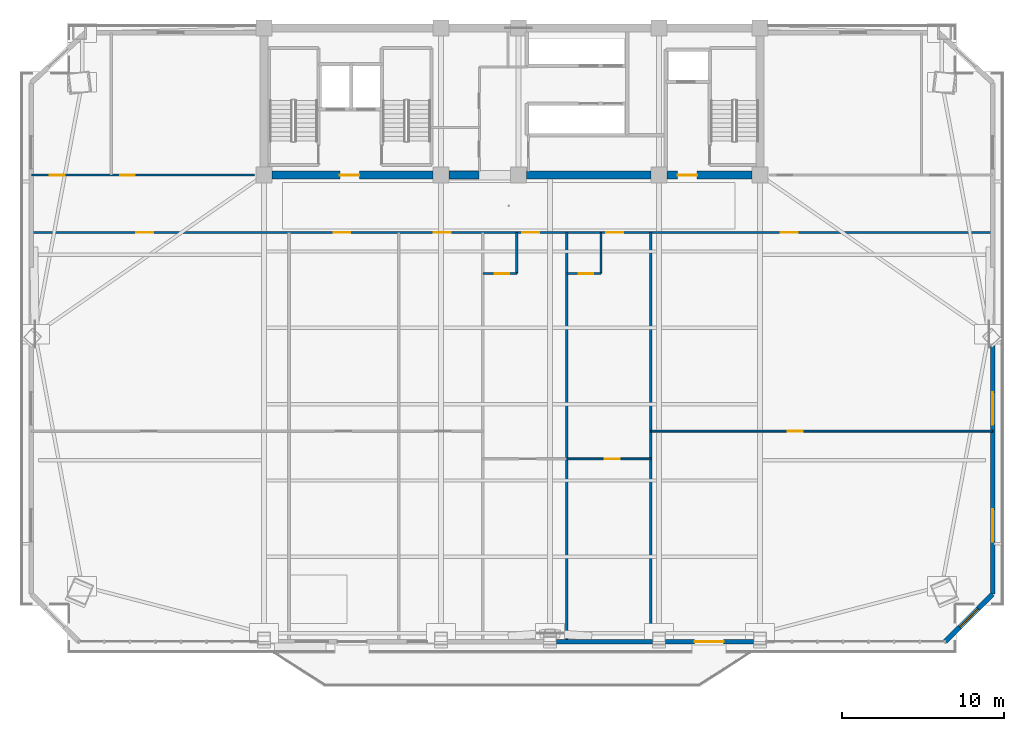
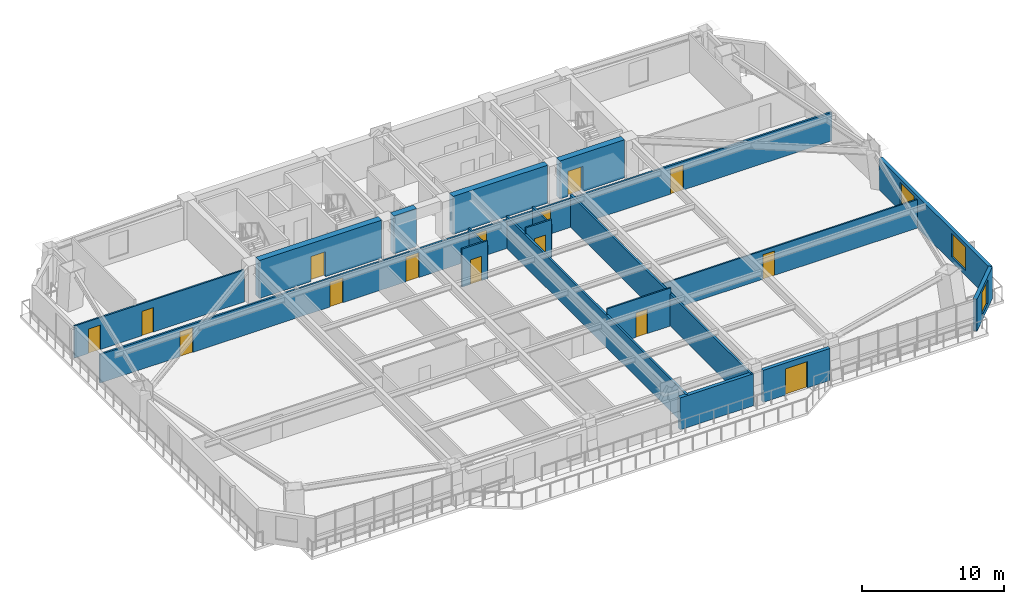
# One storey, part 8 of 15: 18 walls, 15 doors, 3 windows, 18 openings.
"""IFC4 building model written with IfcOpenShell, lengths in metres."""

import ifcopenshell
import ifcopenshell.guid

model = None  # the IFC model being written
_history = None  # IfcOwnerHistory: only IFC2X3 demands one
_inside = {}  # id of a spatial element -> (the spatial element, [elements in it])
_under = {}  # id of a project, library or spatial element -> (it, [spatial elements below it])
_declared = {}  # id of a project -> (the project, [libraries it declares])
_typed = {}  # id of a type object -> (the type object, [elements of that type])
_made_of = {}  # id of a material, layer set ... -> (it, [elements and type objects made of it])


def new_model(schema):
    """Start an empty IFC model of exactly this schema.

    Asked for "IFC4X3", IfcOpenShell would pick the latest addendum, in which some entities
    have other attributes; the version numbers below select the first issue.
    IFC2X3 requires an IfcOwnerHistory on every rooted entity: one is made here for all.
    """
    global model, _history
    if schema == "IFC4X3":
        model = ifcopenshell.file(schema_version=(4, 3, 0, 0))
    else:
        model = ifcopenshell.file(schema=schema)
    _inside.clear()
    _under.clear()
    _declared.clear()
    _typed.clear()
    _made_of.clear()
    _history = None
    if model.schema == "IFC2X3":
        org = make("IfcOrganization", Name="unknown")
        user = make(
            "IfcPersonAndOrganization",
            ThePerson=make("IfcPerson", FamilyName="unknown"),
            TheOrganization=org,
        )
        app = make(
            "IfcApplication",
            ApplicationDeveloper=org,
            Version="unknown",
            ApplicationFullName="unknown",
            ApplicationIdentifier="unknown",
        )
        _history = make(
            "IfcOwnerHistory",
            OwningUser=user,
            OwningApplication=app,
            ChangeAction="ADDED",
            CreationDate=0,
        )
    return model


def make(cls, **values):
    """One entity of the class cls with the attributes given. An attribute that is None is left unset."""
    return model.create_entity(
        cls, **{name: value for name, value in values.items() if value is not None}
    )


def rooted(cls, **values):
    """An entity with a GlobalId (a new one), such as an element, a storey or a relation."""
    return make(cls, GlobalId=ifcopenshell.guid.new(), OwnerHistory=_history, **values)


def si_unit(unit_type, name, prefix=None):
    """IfcSIUnit, for example si_unit("LENGTHUNIT", "METRE", prefix="MILLI")."""
    return make("IfcSIUnit", UnitType=unit_type, Prefix=prefix, Name=name)


def assignment(units):
    """IfcUnitAssignment: the units of a project."""
    return None if units is None else make("IfcUnitAssignment", Units=units)


def point(xyz):
    """IfcCartesianPoint."""
    return None if xyz is None else make("IfcCartesianPoint", Coordinates=xyz)


def direction(xyz):
    """IfcDirection."""
    return None if xyz is None else make("IfcDirection", DirectionRatios=xyz)


def frame(location, z_axis=None, x_axis=None):
    """IfcAxis2Placement3D, a coordinate frame: its origin and axes. An axis left out is left unset."""
    return make(
        "IfcAxis2Placement3D",
        Location=point(location),
        Axis=direction(z_axis),
        RefDirection=direction(x_axis),
    )


def frame_2d(location, x_axis=None):
    """IfcAxis2Placement2D, a coordinate frame in the plane: its origin and x axis."""
    return make(
        "IfcAxis2Placement2D", Location=point(location), RefDirection=direction(x_axis)
    )


def origin():
    """The frame at (0, 0, 0) with its axes left unset."""
    return frame((0.0, 0.0, 0.0))


def place(relative_to, where):
    """IfcLocalPlacement: puts the frame where relative to a parent placement (None: the world)."""
    return make(
        "IfcLocalPlacement", PlacementRelTo=relative_to, RelativePlacement=where
    )


def context(
    kind, dimensions, precision=None, world=None, true_north=None, identifier=None
):
    """IfcGeometricRepresentationContext, for example the 3D "Model" context."""
    return make(
        "IfcGeometricRepresentationContext",
        ContextIdentifier=identifier,
        ContextType=kind,
        CoordinateSpaceDimension=dimensions,
        Precision=precision,
        WorldCoordinateSystem=world,
        TrueNorth=true_north,
    )


def subcontext(parent, identifier, kind, view, scale=None):
    """IfcGeometricRepresentationSubContext, for example "Body" below "Model"."""
    return make(
        "IfcGeometricRepresentationSubContext",
        ContextIdentifier=identifier,
        ContextType=kind,
        ParentContext=parent,
        TargetScale=scale,
        TargetView=view,
    )


def project(units=None, contexts=None):
    """IfcProject with its units and contexts."""
    return rooted(
        "IfcProject",
        Name="project",
        RepresentationContexts=contexts,
        UnitsInContext=assignment(units),
    )


def spatial(cls, under=None, at=None, **own):
    """A site, building, storey or space (cls), placed at a placement, below another one or the project."""
    s = rooted(cls, ObjectPlacement=at, **own)
    if under is not None:
        _under.setdefault(under.id(), (under, []))[1].append(s)
    return s


def profile(cls, at=None, kind="AREA", **sizes):
    """A parametric profile (cls). Its sizes go by their IFC names, for example OverallWidth=200.0."""
    return make(cls, ProfileType=kind, Position=at, **sizes)


def rectangle(**sizes):
    """IfcRectangleProfileDef."""
    return profile("IfcRectangleProfileDef", **sizes)


def extrude(swept, where, along, depth):
    """IfcExtrudedAreaSolid: the profile swept, set in the frame where, extruded along a direction by depth."""
    return make(
        "IfcExtrudedAreaSolid",
        SweptArea=swept,
        Position=where,
        ExtrudedDirection=direction(along),
        Depth=depth,
    )


def shape(context_of_items, identifier, shape_type, items):
    """IfcShapeRepresentation: the items that make up one representation, for example the "Body"."""
    return make(
        "IfcShapeRepresentation",
        ContextOfItems=context_of_items,
        RepresentationIdentifier=identifier,
        RepresentationType=shape_type,
        Items=items,
    )


def source(mapping_origin, context_of_items, identifier, shape_type, items):
    """IfcRepresentationMap: a shape defined once, which mapped items show again and again."""
    return make(
        "IfcRepresentationMap",
        MappingOrigin=mapping_origin,
        MappedRepresentation=shape(context_of_items, identifier, shape_type, items),
    )


def transform(
    local_origin,
    x_axis=None,
    y_axis=None,
    z_axis=None,
    scale=None,
    scale2=None,
    scale3=None,
    uniform=True,
):
    """IfcCartesianTransformationOperator3D, or its non-uniform kind. x_axis, y_axis, z_axis: its Axis1, 2, 3."""
    if uniform:
        return make(
            "IfcCartesianTransformationOperator3D",
            Axis1=direction(x_axis),
            Axis2=direction(y_axis),
            LocalOrigin=point(local_origin),
            Scale=scale,
            Axis3=direction(z_axis),
        )
    return make(
        "IfcCartesianTransformationOperator3DnonUniform",
        Axis1=direction(x_axis),
        Axis2=direction(y_axis),
        LocalOrigin=point(local_origin),
        Scale=scale,
        Axis3=direction(z_axis),
        Scale2=scale2,
        Scale3=scale3,
    )


def mapped(mapping_source, mapping_target):
    """IfcMappedItem: shows the shape of a source again, moved by a transform."""
    return make(
        "IfcMappedItem", MappingSource=mapping_source, MappingTarget=mapping_target
    )


def material(Name=None, Category=None):
    """IfcMaterial."""
    return make("IfcMaterial", Name=Name, Category=Category)


def layer(
    of_material, thickness, ventilated=None, Name=None, Category=None, Priority=None
):
    """IfcMaterialLayer: one layer of a wall or slab, of a material (None: an air gap)."""
    return make(
        "IfcMaterialLayer",
        Material=of_material,
        LayerThickness=thickness,
        IsVentilated=ventilated,
        Name=Name,
        Category=Category,
        Priority=Priority,
    )


def layer_set(layers, Name=None):
    """IfcMaterialLayerSet."""
    return make("IfcMaterialLayerSet", MaterialLayers=layers, LayerSetName=Name)


def made_of(thing, what):
    """Note that an element or type object is made of a material, layer set ...; save() writes the relation."""
    if what is not None:
        _made_of.setdefault(what.id(), (what, []))[1].append(thing)
    return thing


def type_object(cls, material=None, **own):
    """A type object (cls), such as IfcWallType, which elements share."""
    return made_of(rooted(cls, **own), material)


def element(
    cls,
    number,
    at=None,
    inside=None,
    cuts=None,
    type_object=None,
    material=None,
    context=None,
    identifier="Body",
    shape_type=None,
    held_by="IfcProductDefinitionShape",
    body=None,
    shapes=None,
    **own,
):
    """One element of the class cls, such as IfcWall. Its Tag is "e" and its number.

    at: its placement. inside: the storey or other place that contains it. cuts: it is an
    opening in that element (IfcRelVoidsElement). A single representation is given by context,
    identifier, shape_type and body (its items); several are given by shapes. held_by: the class
    of the entity that holds the representations. save() writes the other relations.
    """
    e = rooted(cls, Tag="e%d" % number, ObjectPlacement=at, **own)
    if body is not None:
        shapes = [shape(context, identifier, shape_type, body)]
    if shapes is not None:
        e.Representation = make(held_by, Representations=shapes)
    if inside is not None:
        _inside.setdefault(inside.id(), (inside, []))[1].append(e)
    if cuts is not None:
        rooted(
            "IfcRelVoidsElement", RelatingBuildingElement=cuts, RelatedOpeningElement=e
        )
    if type_object is not None:
        _typed.setdefault(type_object.id(), (type_object, []))[1].append(e)
    return made_of(e, material)


def fill(opening, filler):
    """IfcRelFillsElement: the door or window that sits in an opening."""
    return rooted(
        "IfcRelFillsElement",
        RelatingOpeningElement=opening,
        RelatedBuildingElement=filler,
    )


def aggregate(whole, parts):
    """IfcRelAggregates: a whole, such as a stair, and the parts it consists of."""
    return rooted("IfcRelAggregates", RelatingObject=whole, RelatedObjects=parts)


def save(model, path):
    """Write the relations noted so far, then the file.

    IfcRelAggregates (storeys below a building ...), IfcRelContainedInSpatialStructure (elements
    in a storey), IfcRelDefinesByType, IfcRelAssociatesMaterial and IfcRelDeclares: one each for
    every whole, place, type object, material and project.
    """
    for whole, parts in _under.values():
        aggregate(whole, parts)
    for where, things in _inside.values():
        rooted(
            "IfcRelContainedInSpatialStructure",
            RelatedElements=things,
            RelatingStructure=where,
        )
    for kind, things in _typed.values():
        rooted("IfcRelDefinesByType", RelatedObjects=things, RelatingType=kind)
    for what, things in _made_of.values():
        rooted("IfcRelAssociatesMaterial", RelatedObjects=things, RelatingMaterial=what)
    for by, libraries in _declared.values():
        rooted("IfcRelDeclares", RelatingContext=by, RelatedDefinitions=libraries)
    model.write(path)


model = new_model("IFC4")

# Units and contexts
model_context = context("Model", 3, precision=1e-05, world=origin(), true_north=direction((0.0, 1.0)))
body_context = subcontext(model_context, "Body", "Model", "MODEL_VIEW")
ifc_project = project(units=[si_unit("LENGTHUNIT", "METRE"), si_unit("AREAUNIT", "SQUARE_METRE"), si_unit("VOLUMEUNIT", "CUBIC_METRE"), si_unit("PLANEANGLEUNIT", "RADIAN"), si_unit("MASSUNIT", "GRAM", prefix="KILO")], contexts=[model_context])

# Site, building, storey
site_placement = place(None, origin())
site = spatial("IfcSite", under=ifc_project, at=site_placement, CompositionType="ELEMENT")
building_placement = place(site_placement, origin())
building = spatial("IfcBuilding", under=site, at=building_placement, Name="Giltprow Tower", CompositionType="ELEMENT")
storey_placement = place(building_placement, frame((0.0, 0.0, 156.199951171875)))
storey = spatial("IfcBuildingStorey", under=building, at=storey_placement, Name="L38", CompositionType="ELEMENT", Elevation=156.199951171875)

# Wall, opening, window
ifc_material_1 = material(Name="Precast concrete C40", Category="concrete")
ifc_layer_1 = layer(ifc_material_1, 0.300048828125, Name="Precast concrete C40")
ifc_layer_set_1 = layer_set([ifc_layer_1], Name="Precast concrete C40")
wall_type_1 = type_object("IfcWallType", Name="EW-NOTCH-CHAMFER-300", PredefinedType="SOLIDWALL", material=ifc_layer_set_1)
wall_1_placement = place(storey_placement, frame((62.011962890625, 8.572021484375, 0.0), z_axis=(0.0, 0.0, 1.0), x_axis=(0.707106781187, 0.707106781187, 0.0)))
wall_1 = element("IfcWall", 1, at=wall_1_placement, inside=storey, type_object=wall_type_1, Name="L38 Corner Notch Wall SE", PredefinedType="SOLIDWALL", context=body_context, shape_type="SweptSolid", body=[
    extrude(rectangle(XDim=4.15625, YDim=0.300048828125, at=frame_2d((2.078125, 0.0))), origin(), (0.0, 0.0, 1.0), 2.75),
])
opening_1_placement = place(wall_1_placement, frame((1.278076171875, 0.0, 0.449951171875)))
opening_1 = element("IfcOpeningElement", 2, at=opening_1_placement, cuts=wall_1, Name="Opening WN17", PredefinedType="OPENING", context=body_context, shape_type="SweptSolid", body=[
    extrude(rectangle(XDim=1.60009765625, YDim=2.0, at=frame_2d((0.800048828125, 1.0))), frame((0.0, 0.159912109375, 0.0), z_axis=(0.0, -1.0, 0.0), x_axis=(1.0, 0.0, 0.0)), (0.0, 0.0, 1.0), 0.320068359375),
])
ifc_material_2 = material(Name="Insulated glass", Category="glass")
window_type_1 = type_object("IfcWindowType", Name="WN-COR-1600x2000", PartitioningType="SINGLE_PANEL", PredefinedType="WINDOW", material=ifc_material_2)
shared_shape_1 = source(origin(), body_context, "Body", "SweptSolid", [
    extrude(rectangle(XDim=1.60009765625, YDim=2.0, at=frame_2d((0.800048828125, 1.0))), frame((0.0, 0.030029296875, 0.0), z_axis=(0.0, -1.0, 0.0), x_axis=(1.0, 0.0, 0.0)), (0.0, 0.0, 1.0), 0.06005859375),
])
window_1_placement = place(opening_1_placement, origin())
window_1 = element("IfcWindow", 3, at=window_1_placement, inside=storey, type_object=window_type_1, Name="L38 Corner Notch Window SE", OverallHeight=2.0, OverallWidth=1.60009765625, PartitioningType="SINGLE_PANEL", PredefinedType="WINDOW", context=body_context, shape_type="MappedRepresentation", body=[
    mapped(shared_shape_1, transform((0.0, 0.0, 0.0), x_axis=(1.0, 0.0, 0.0), y_axis=(0.0, 1.0, 0.0), z_axis=(0.0, 0.0, 1.0), scale=1.0)),
])
fill(opening_1, window_1)

# Wall
ifc_layer_2 = layer(ifc_material_1, 0.280029296875, Name="Precast concrete C40")
ifc_layer_set_2 = layer_set([ifc_layer_2], Name="Precast concrete C40")
wall_type_2 = type_object("IfcWallType", Name="EW-TOW-BRONZE-280", PredefinedType="SOLIDWALL", material=ifc_layer_set_2)
wall_2_placement = place(storey_placement, frame((37.949951171875, 8.572021484375, 0.0), z_axis=(0.0, 0.0, 1.0), x_axis=(1.0, 0.0, 0.0)))
element("IfcWall", 4, at=wall_2_placement, inside=storey, type_object=wall_type_2, Name="L38 South Expressed Frame Wall 4", PredefinedType="SOLIDWALL", context=body_context, shape_type="SweptSolid", body=[
    extrude(rectangle(XDim=5.949951171875, YDim=0.280029296875, at=frame_2d((2.97509765625, 0.0))), origin(), (0.0, 0.0, 1.0), 2.75),
])

# Wall, opening, door
wall_3_placement = place(storey_placement, frame((44.699951171875, 8.572021484375, 0.0), z_axis=(0.0, 0.0, 1.0), x_axis=(1.0, 0.0, 0.0)))
wall_3 = element("IfcWall", 5, at=wall_3_placement, inside=storey, type_object=wall_type_2, Name="L38 South Expressed Frame Wall 5", PredefinedType="SOLIDWALL", context=body_context, shape_type="SweptSolid", body=[
    extrude(rectangle(XDim=5.449951171875, YDim=0.280029296875, at=frame_2d((2.72509765625, 0.0))), origin(), (0.0, 0.0, 1.0), 2.75),
])
opening_2_placement = place(wall_3_placement, frame((1.800048828125, 0.0, 0.0)))
opening_2 = element("IfcOpeningElement", 6, at=opening_2_placement, cuts=wall_3, Name="Opening ED25", PredefinedType="OPENING", context=body_context, shape_type="SweptSolid", body=[
    extrude(rectangle(XDim=1.800048828125, YDim=2.25, at=frame_2d((0.89990234375, 1.125))), frame((0.0, 0.14990234375, 0.0), z_axis=(0.0, -1.0, 0.0), x_axis=(1.0, 0.0, 0.0)), (0.0, 0.0, 1.0), 0.300048828125),
])
ifc_material_3 = material(Name="Anodized bronze and glass", Category="glass")
door_type_1 = type_object("IfcDoorType", Name="DR-BALC-SLIDE-1800", OperationType="SLIDING_TO_LEFT", PredefinedType="DOOR", material=ifc_material_3)
shared_shape_2 = source(origin(), body_context, "Body", "SweptSolid", [
    extrude(rectangle(XDim=1.800048828125, YDim=2.25, at=frame_2d((0.89990234375, 1.125))), frame((0.0, 0.02490234375, 0.0), z_axis=(0.0, -1.0, 0.0), x_axis=(1.0, 0.0, 0.0)), (0.0, 0.0, 1.0), 0.050048828125),
])
door_1_placement = place(opening_2_placement, origin())
door_1 = element("IfcDoor", 7, at=door_1_placement, inside=storey, type_object=door_type_1, Name="L38 Waterfront Balcony Sliding Door 2", OperationType="SLIDING_TO_LEFT", OverallHeight=2.25, OverallWidth=1.800048828125, PredefinedType="DOOR", context=body_context, shape_type="MappedRepresentation", body=[
    mapped(shared_shape_2, transform((0.0, 0.0, 0.0), x_axis=(1.0, 0.0, 0.0), y_axis=(0.0, 1.0, 0.0), z_axis=(0.0, 0.0, 1.0), scale=1.0)),
])
fill(opening_2, door_1)

# Wall, openings, windows
wall_4_placement = place(storey_placement, frame((64.950927734375, 11.510986328125, 0.0), z_axis=(0.0, 0.0, 1.0), x_axis=(0.0, 1.0, 0.0)))
wall_4 = element("IfcWall", 8, at=wall_4_placement, inside=storey, type_object=wall_type_2, Name="L38 E Wing Masonry Wall 1", PredefinedType="SOLIDWALL", context=body_context, shape_type="SweptSolid", body=[
    extrude(rectangle(XDim=15.425048828125, YDim=0.280029296875, at=frame_2d((7.71240234375, 0.0))), origin(), (0.0, 0.0, 1.0), 2.75),
])
opening_3_placement = place(wall_4_placement, frame((3.2509765625, 0.0, 0.449951171875)))
opening_3 = element("IfcOpeningElement", 9, at=opening_3_placement, cuts=wall_4, Name="Opening WN21", PredefinedType="OPENING", context=body_context, shape_type="SweptSolid", body=[
    extrude(rectangle(XDim=2.0, YDim=2.0, at=frame_2d((1.0, 1.0))), frame((0.0, 0.14990234375, 0.0), z_axis=(0.0, -1.0, 0.0), x_axis=(1.0, 0.0, 0.0)), (0.0, 0.0, 1.0), 0.300048828125),
])
opening_4_placement = place(wall_4_placement, frame((10.488037109375, 0.0, 0.449951171875)))
opening_4 = element("IfcOpeningElement", 10, at=opening_4_placement, cuts=wall_4, Name="Opening WN21", PredefinedType="OPENING", context=body_context, shape_type="SweptSolid", body=[
    extrude(rectangle(XDim=2.0, YDim=2.0, at=frame_2d((1.0, 1.0))), frame((0.0, 0.14990234375, 0.0), z_axis=(0.0, -1.0, 0.0), x_axis=(1.0, 0.0, 0.0)), (0.0, 0.0, 1.0), 0.300048828125),
])
window_type_2 = type_object("IfcWindowType", Name="WN-HTL-2000x2000", PartitioningType="DOUBLE_PANEL_VERTICAL", PredefinedType="WINDOW", material=ifc_material_2)
shared_shape_3 = source(origin(), body_context, "Body", "SweptSolid", [
    extrude(rectangle(XDim=2.0, YDim=2.0, at=frame_2d((1.0, 1.0))), frame((0.0, 0.030029296875, 0.0), z_axis=(0.0, -1.0, 0.0), x_axis=(1.0, 0.0, 0.0)), (0.0, 0.0, 1.0), 0.06005859375),
])
window_2_placement = place(opening_3_placement, origin())
window_2 = element("IfcWindow", 11, at=window_2_placement, inside=storey, type_object=window_type_2, Name="L38 E Wing Window 1-1A", OverallHeight=2.0, OverallWidth=2.0, PartitioningType="SINGLE_PANEL", PredefinedType="WINDOW", context=body_context, shape_type="MappedRepresentation", body=[
    mapped(shared_shape_3, transform((0.0, 0.0, 0.0), x_axis=(1.0, 0.0, 0.0), y_axis=(0.0, 1.0, 0.0), z_axis=(0.0, 0.0, 1.0), scale=1.0)),
])
fill(opening_3, window_2)
window_3_placement = place(opening_4_placement, origin())
window_3 = element("IfcWindow", 12, at=window_3_placement, inside=storey, type_object=window_type_2, Name="L38 E Wing Window 1-1B", OverallHeight=2.0, OverallWidth=2.0, PartitioningType="SINGLE_PANEL", PredefinedType="WINDOW", context=body_context, shape_type="MappedRepresentation", body=[
    mapped(shared_shape_3, transform((0.0, 0.0, 0.0), x_axis=(1.0, 0.0, 0.0), y_axis=(0.0, 1.0, 0.0), z_axis=(0.0, 0.0, 1.0), scale=1.0)),
])
fill(opening_4, window_3)

# Wall, openings, doors
ifc_material_4 = material(Name="Gypsum stud partition", Category="gypsum")
ifc_layer_3 = layer(ifc_material_4, 0.14990234375, Name="Gypsum stud partition")
ifc_layer_set_3 = layer_set([ifc_layer_3], Name="Gypsum stud partition")
wall_type_3 = type_object("IfcWallType", Name="IW-CORR-150", PredefinedType="PARTITIONING", material=ifc_layer_set_3)
wall_5_placement = place(storey_placement, frame((5.448974609375, 33.89990234375, 0.0), z_axis=(0.0, 0.0, 1.0), x_axis=(1.0, 0.0, 0.0)))
wall_5 = element("IfcWall", 13, at=wall_5_placement, inside=storey, type_object=wall_type_3, Name="L38 Hotel Guestroom Corridor Wall", PredefinedType="PARTITIONING", context=body_context, shape_type="SweptSolid", body=[
    extrude(rectangle(XDim=59.501953125, YDim=0.14990234375, at=frame_2d((29.7509765625, 0.0))), origin(), (0.0, 0.0, 1.0), 2.455078125),
])
opening_5_placement = place(wall_5_placement, frame((6.5, 0.0, 0.0)))
opening_5 = element("IfcOpeningElement", 14, at=opening_5_placement, cuts=wall_5, Name="Opening ID31", PredefinedType="OPENING", context=body_context, shape_type="SweptSolid", body=[
    extrude(rectangle(XDim=1.050048828125, YDim=2.14990234375, at=frame_2d((0.52490234375, 1.074951171875))), frame((0.0, 0.0849609375, 0.0), z_axis=(0.0, -1.0, 0.0), x_axis=(1.0, 0.0, 0.0)), (0.0, 0.0, 1.0), 0.169921875),
])
opening_6_placement = place(wall_5_placement, frame((18.7041015625, 0.0, 0.0)))
opening_6 = element("IfcOpeningElement", 15, at=opening_6_placement, cuts=wall_5, Name="Opening ID31", PredefinedType="OPENING", context=body_context, shape_type="SweptSolid", body=[
    extrude(rectangle(XDim=1.050048828125, YDim=2.14990234375, at=frame_2d((0.52490234375, 1.074951171875))), frame((0.0, 0.0849609375, 0.0), z_axis=(0.0, -1.0, 0.0), x_axis=(1.0, 0.0, 0.0)), (0.0, 0.0, 1.0), 0.169921875),
])
opening_7_placement = place(wall_5_placement, frame((24.89599609375, 0.0, 0.0)))
opening_7 = element("IfcOpeningElement", 16, at=opening_7_placement, cuts=wall_5, Name="Opening ID31", PredefinedType="OPENING", context=body_context, shape_type="SweptSolid", body=[
    extrude(rectangle(XDim=1.050048828125, YDim=2.14990234375, at=frame_2d((0.52490234375, 1.074951171875))), frame((0.0, 0.0849609375, 0.0), z_axis=(0.0, -1.0, 0.0), x_axis=(1.0, 0.0, 0.0)), (0.0, 0.0, 1.0), 0.169921875),
])
opening_8_placement = place(wall_5_placement, frame((30.386962890625, 0.0, 0.0)))
opening_8 = element("IfcOpeningElement", 17, at=opening_8_placement, cuts=wall_5, Name="Opening ID31", PredefinedType="OPENING", context=body_context, shape_type="SweptSolid", body=[
    extrude(rectangle(XDim=1.050048828125, YDim=2.14990234375, at=frame_2d((0.52490234375, 1.074951171875))), frame((0.0, 0.0849609375, 0.0), z_axis=(0.0, -1.0, 0.0), x_axis=(1.0, 0.0, 0.0)), (0.0, 0.0, 1.0), 0.169921875),
])
opening_9_placement = place(wall_5_placement, frame((35.5869140625, 0.0, 0.0)))
opening_9 = element("IfcOpeningElement", 18, at=opening_9_placement, cuts=wall_5, Name="Opening ID31", PredefinedType="OPENING", context=body_context, shape_type="SweptSolid", body=[
    extrude(rectangle(XDim=1.050048828125, YDim=2.14990234375, at=frame_2d((0.52490234375, 1.074951171875))), frame((0.0, 0.0849609375, 0.0), z_axis=(0.0, -1.0, 0.0), x_axis=(1.0, 0.0, 0.0)), (0.0, 0.0, 1.0), 0.169921875),
])
opening_10_placement = place(wall_5_placement, frame((46.39208984375, 0.0, 0.0)))
opening_10 = element("IfcOpeningElement", 19, at=opening_10_placement, cuts=wall_5, Name="Opening ID31", PredefinedType="OPENING", context=body_context, shape_type="SweptSolid", body=[
    extrude(rectangle(XDim=1.050048828125, YDim=2.14990234375, at=frame_2d((0.52490234375, 1.074951171875))), frame((0.0, 0.0849609375, 0.0), z_axis=(0.0, -1.0, 0.0), x_axis=(1.0, 0.0, 0.0)), (0.0, 0.0, 1.0), 0.169921875),
])
ifc_material_5 = material(Name="Engineered timber", Category="wood")
door_type_2 = type_object("IfcDoorType", Name="DR-SUITE-1050", OperationType="SINGLE_SWING_LEFT", PredefinedType="DOOR", material=ifc_material_5)
shared_shape_4 = source(origin(), body_context, "Body", "SweptSolid", [
    extrude(rectangle(XDim=1.050048828125, YDim=2.14990234375, at=frame_2d((0.52490234375, 1.074951171875))), frame((0.0, 0.02490234375, 0.0), z_axis=(0.0, -1.0, 0.0), x_axis=(1.0, 0.0, 0.0)), (0.0, 0.0, 1.0), 0.050048828125),
])
door_2_placement = place(opening_5_placement, origin())
door_2 = element("IfcDoor", 20, at=door_2_placement, inside=storey, type_object=door_type_2, Name="L38 Suite Reception Foyer Door", OperationType="SINGLE_SWING_RIGHT", OverallHeight=2.14990234375, OverallWidth=1.050048828125, PredefinedType="DOOR", context=body_context, shape_type="MappedRepresentation", body=[
    mapped(shared_shape_4, transform((0.0, 0.0, 0.0), x_axis=(1.0, 0.0, 0.0), y_axis=(0.0, 1.0, 0.0), z_axis=(0.0, 0.0, 1.0), scale=1.0)),
])
fill(opening_5, door_2)
door_3_placement = place(opening_6_placement, origin())
door_3 = element("IfcDoor", 21, at=door_3_placement, inside=storey, type_object=door_type_2, Name="L38 Suite Reception Foyer Door", OperationType="SINGLE_SWING_RIGHT", OverallHeight=2.14990234375, OverallWidth=1.050048828125, PredefinedType="DOOR", context=body_context, shape_type="MappedRepresentation", body=[
    mapped(shared_shape_4, transform((0.0, 0.0, 0.0), x_axis=(1.0, 0.0, 0.0), y_axis=(0.0, 1.0, 0.0), z_axis=(0.0, 0.0, 1.0), scale=1.0)),
])
fill(opening_6, door_3)
door_4_placement = place(opening_7_placement, origin())
door_4 = element("IfcDoor", 22, at=door_4_placement, inside=storey, type_object=door_type_2, Name="L38 Suite Reception Foyer Door", OperationType="SINGLE_SWING_RIGHT", OverallHeight=2.14990234375, OverallWidth=1.050048828125, PredefinedType="DOOR", context=body_context, shape_type="MappedRepresentation", body=[
    mapped(shared_shape_4, transform((0.0, 0.0, 0.0), x_axis=(1.0, 0.0, 0.0), y_axis=(0.0, 1.0, 0.0), z_axis=(0.0, 0.0, 1.0), scale=1.0)),
])
fill(opening_7, door_4)
door_5_placement = place(opening_8_placement, origin())
door_5 = element("IfcDoor", 23, at=door_5_placement, inside=storey, type_object=door_type_2, Name="L38 Hotel Room 4 Entry Door", OperationType="SINGLE_SWING_RIGHT", OverallHeight=2.14990234375, OverallWidth=1.050048828125, PredefinedType="DOOR", context=body_context, shape_type="MappedRepresentation", body=[
    mapped(shared_shape_4, transform((0.0, 0.0, 0.0), x_axis=(1.0, 0.0, 0.0), y_axis=(0.0, 1.0, 0.0), z_axis=(0.0, 0.0, 1.0), scale=1.0)),
])
fill(opening_8, door_5)
door_6_placement = place(opening_9_placement, origin())
door_6 = element("IfcDoor", 24, at=door_6_placement, inside=storey, type_object=door_type_2, Name="L38 Hotel Room 5 Entry Door", OperationType="SINGLE_SWING_LEFT", OverallHeight=2.14990234375, OverallWidth=1.050048828125, PredefinedType="DOOR", context=body_context, shape_type="MappedRepresentation", body=[
    mapped(shared_shape_4, transform((0.0, 0.0, 0.0), x_axis=(1.0, 0.0, 0.0), y_axis=(0.0, 1.0, 0.0), z_axis=(0.0, 0.0, 1.0), scale=1.0)),
])
fill(opening_9, door_6)
door_7_placement = place(opening_10_placement, origin())
door_7 = element("IfcDoor", 25, at=door_7_placement, inside=storey, type_object=door_type_2, Name="L38 Suite Reception Foyer Door", OperationType="SINGLE_SWING_RIGHT", OverallHeight=2.14990234375, OverallWidth=1.050048828125, PredefinedType="DOOR", context=body_context, shape_type="MappedRepresentation", body=[
    mapped(shared_shape_4, transform((0.0, 0.0, 0.0), x_axis=(1.0, 0.0, 0.0), y_axis=(0.0, 1.0, 0.0), z_axis=(0.0, 0.0, 1.0), scale=1.0)),
])
fill(opening_10, door_7)

# Walls
ifc_layer_4 = layer(ifc_material_4, 0.159912109375, Name="Gypsum stud partition")
ifc_layer_set_4 = layer_set([ifc_layer_4], Name="Gypsum stud partition")
wall_type_4 = type_object("IfcWallType", Name="IW-DEMISE-160", PredefinedType="PARTITIONING", material=ifc_layer_set_4)
for number, where, z_axis, x_axis, name in (
    (26, (38.60009765625, 8.572021484375, 0.0), (0.0, 0.0, 1.0), (0.0, 1.0, 0.0), "L38 Hotel Demising Wall 4"),
    (27, (43.800048828125, 8.572021484375, 0.0), (0.0, 0.0, 1.0), (0.0, 1.0, 0.0), "L38 Hotel Demising Wall 5"),
):
    element("IfcWall", number, at=place(storey_placement, frame(where, z_axis=z_axis, x_axis=x_axis)), inside=storey, type_object=wall_type_4, Name=name, PredefinedType="PARTITIONING", context=body_context, shape_type="SweptSolid", body=[
        extrude(rectangle(XDim=25.327880859375, YDim=0.159912109375, at=frame_2d((12.6640625, 0.0))), origin(), (0.0, 0.0, 1.0), 2.755126953125),
    ])

# Wall, opening, door
ifc_layer_5 = layer(ifc_material_4, 0.1201171875, Name="Gypsum stud partition")
ifc_layer_set_5 = layer_set([ifc_layer_5], Name="Gypsum stud partition")
wall_type_5 = type_object("IfcWallType", Name="IW-ROOM-120", PredefinedType="PARTITIONING", material=ifc_layer_set_5)
wall_6_placement = place(storey_placement, frame((38.60009765625, 19.883056640625, 0.0), z_axis=(0.0, 0.0, 1.0), x_axis=(1.0, 0.0, 0.0)))
wall_6 = element("IfcWall", 28, at=wall_6_placement, inside=storey, type_object=wall_type_5, Name="L38 Suite Parlour Divider 5", PredefinedType="PARTITIONING", context=body_context, shape_type="SweptSolid", body=[
    extrude(rectangle(XDim=5.199951171875, YDim=0.1201171875, at=frame_2d((2.60009765625, 0.0))), origin(), (0.0, 0.0, 1.0), 3.27001953125),
])
opening_11_placement = place(wall_6_placement, frame((2.324951171875, 0.0, 0.0)))
opening_11 = element("IfcOpeningElement", 29, at=opening_11_placement, cuts=wall_6, Name="Opening ID11", PredefinedType="OPENING", context=body_context, shape_type="SweptSolid", body=[
    extrude(rectangle(XDim=0.949951171875, YDim=2.10009765625, at=frame_2d((0.47509765625, 1.050048828125))), frame((0.0, 0.070068359375, 0.0), z_axis=(0.0, -1.0, 0.0), x_axis=(1.0, 0.0, 0.0)), (0.0, 0.0, 1.0), 0.14013671875),
])
door_type_3 = type_object("IfcDoorType", Name="DR-ROOM-950", OperationType="SINGLE_SWING_RIGHT", PredefinedType="DOOR", material=ifc_material_5)
shared_shape_5 = source(origin(), body_context, "Body", "SweptSolid", [
    extrude(rectangle(XDim=0.949951171875, YDim=2.10009765625, at=frame_2d((0.47509765625, 1.050048828125))), frame((0.0, 0.02490234375, 0.0), z_axis=(0.0, -1.0, 0.0), x_axis=(1.0, 0.0, 0.0)), (0.0, 0.0, 1.0), 0.050048828125),
])
door_8_placement = place(opening_11_placement, origin())
door_8 = element("IfcDoor", 30, at=door_8_placement, inside=storey, type_object=door_type_3, Name="L38 Harbour Parlour 5 Door", OperationType="SINGLE_SWING_LEFT", OverallHeight=2.10009765625, OverallWidth=0.949951171875, PredefinedType="DOOR", context=body_context, shape_type="MappedRepresentation", body=[
    mapped(shared_shape_5, transform((0.0, 0.0, 0.0), x_axis=(1.0, 0.0, 0.0), y_axis=(0.0, 1.0, 0.0), z_axis=(0.0, 0.0, 1.0), scale=1.0)),
])
fill(opening_11, door_8)

wall_7_placement = place(storey_placement, frame((43.800048828125, 21.59912109375, 0.0), z_axis=(0.0, 0.0, 1.0), x_axis=(1.0, 0.0, 0.0)))
wall_7 = element("IfcWall", 31, at=wall_7_placement, inside=storey, type_object=wall_type_5, Name="L38 Amenity Mid Wall 6", PredefinedType="PARTITIONING", context=body_context, shape_type="SweptSolid", body=[
    extrude(rectangle(XDim=21.15087890625, YDim=0.1201171875, at=frame_2d((10.575439453125, 0.0))), origin(), (0.0, 0.0, 1.0), 2.455078125),
])
opening_12_placement = place(wall_7_placement, frame((8.451904296875, 0.0, 0.0)))
opening_12 = element("IfcOpeningElement", 32, at=opening_12_placement, cuts=wall_7, Name="Opening ID11", PredefinedType="OPENING", context=body_context, shape_type="SweptSolid", body=[
    extrude(rectangle(XDim=0.949951171875, YDim=2.10009765625, at=frame_2d((0.47509765625, 1.050048828125))), frame((0.0, 0.070068359375, 0.0), z_axis=(0.0, -1.0, 0.0), x_axis=(1.0, 0.0, 0.0)), (0.0, 0.0, 1.0), 0.14013671875),
])
door_9_placement = place(opening_12_placement, origin())
door_9 = element("IfcDoor", 33, at=door_9_placement, inside=storey, type_object=door_type_3, Name="L38 Finance Audit Office 4 Inner Door", OperationType="SINGLE_SWING_LEFT", OverallHeight=2.10009765625, OverallWidth=0.949951171875, PredefinedType="DOOR", context=body_context, shape_type="MappedRepresentation", body=[
    mapped(shared_shape_5, transform((0.0, 0.0, 0.0), x_axis=(1.0, 0.0, 0.0), y_axis=(0.0, 1.0, 0.0), z_axis=(0.0, 0.0, 1.0), scale=1.0)),
])
fill(opening_12, door_9)

ifc_material_6 = material(Name="Concrete C30", Category="concrete")
ifc_layer_6 = layer(ifc_material_6, 0.1298828125, Name="Concrete C30")
ifc_layer_set_6 = layer_set([ifc_layer_6], Name="Concrete C30")
wall_type_6 = type_object("IfcWallType", Name="IW-WET-130", PredefinedType="PARTITIONING", material=ifc_layer_set_6)
wall_8_placement = place(storey_placement, frame((33.39990234375, 31.35009765625, 0.0), z_axis=(0.0, 0.0, 1.0), x_axis=(1.0, 0.0, 0.0)))
wall_8 = element("IfcWall", 34, at=wall_8_placement, inside=storey, type_object=wall_type_6, Name="L38 En-Suite South Wall 4", PredefinedType="PARTITIONING", context=body_context, shape_type="SweptSolid", body=[
    extrude(rectangle(XDim=2.09619140625, YDim=0.1298828125, at=frame_2d((1.048095703125, 0.0))), origin(), (0.0, 0.0, 1.0), 3.27001953125),
])
opening_13_placement = place(wall_8_placement, frame((0.718017578125, 0.0, 0.0)))
opening_13 = element("IfcOpeningElement", 35, at=opening_13_placement, cuts=wall_8, Name="Opening ID15", PredefinedType="OPENING", context=body_context, shape_type="SweptSolid", body=[
    extrude(rectangle(XDim=0.89990234375, YDim=2.10009765625, at=frame_2d((0.449951171875, 1.050048828125))), frame((0.0, 0.074951171875, 0.0), z_axis=(0.0, -1.0, 0.0), x_axis=(1.0, 0.0, 0.0)), (0.0, 0.0, 1.0), 0.14990234375),
])
door_type_4 = type_object("IfcDoorType", Name="DR-WC-900", OperationType="SINGLE_SWING_LEFT", PredefinedType="DOOR", material=ifc_material_5)
shared_shape_6 = source(origin(), body_context, "Body", "SweptSolid", [
    extrude(rectangle(XDim=0.89990234375, YDim=2.10009765625, at=frame_2d((0.449951171875, 1.050048828125))), frame((0.0, 0.02490234375, 0.0), z_axis=(0.0, -1.0, 0.0), x_axis=(1.0, 0.0, 0.0)), (0.0, 0.0, 1.0), 0.050048828125),
])
door_10_placement = place(opening_13_placement, origin())
door_10 = element("IfcDoor", 36, at=door_10_placement, inside=storey, type_object=door_type_4, Name="L38 En-Suite 4 Door", OperationType="SINGLE_SWING_LEFT", OverallHeight=2.10009765625, OverallWidth=0.89990234375, PredefinedType="DOOR", context=body_context, shape_type="MappedRepresentation", body=[
    mapped(shared_shape_6, transform((0.0, 0.0, 0.0), x_axis=(1.0, 0.0, 0.0), y_axis=(0.0, 1.0, 0.0), z_axis=(0.0, 0.0, 1.0), scale=1.0)),
])
fill(opening_13, door_10)

# Wall
wall_9_placement = place(storey_placement, frame((35.49609375, 31.35009765625, 0.0), z_axis=(0.0, 0.0, 1.0), x_axis=(0.0, 1.0, 0.0)))
element("IfcWall", 37, at=wall_9_placement, inside=storey, type_object=wall_type_6, Name="L38 En-Suite East Wall 4", PredefinedType="PARTITIONING", context=body_context, shape_type="SweptSolid", body=[
    extrude(rectangle(XDim=2.5498046875, YDim=0.1298828125, at=frame_2d((1.27490234375, 0.0))), origin(), (0.0, 0.0, 1.0), 2.804931640625),
])

# Wall, opening, door
wall_10_placement = place(storey_placement, frame((38.60009765625, 31.35009765625, 0.0), z_axis=(0.0, 0.0, 1.0), x_axis=(1.0, 0.0, 0.0)))
wall_10 = element("IfcWall", 38, at=wall_10_placement, inside=storey, type_object=wall_type_6, Name="L38 En-Suite South Wall 5", PredefinedType="PARTITIONING", context=body_context, shape_type="SweptSolid", body=[
    extrude(rectangle(XDim=2.095947265625, YDim=0.1298828125, at=frame_2d((1.0478515625, 0.0))), origin(), (0.0, 0.0, 1.0), 3.27001953125),
])
opening_14_placement = place(wall_10_placement, frame((0.718017578125, 0.0, 0.0)))
opening_14 = element("IfcOpeningElement", 39, at=opening_14_placement, cuts=wall_10, Name="Opening ID15", PredefinedType="OPENING", context=body_context, shape_type="SweptSolid", body=[
    extrude(rectangle(XDim=0.89990234375, YDim=2.10009765625, at=frame_2d((0.449951171875, 1.050048828125))), frame((0.0, 0.074951171875, 0.0), z_axis=(0.0, -1.0, 0.0), x_axis=(1.0, 0.0, 0.0)), (0.0, 0.0, 1.0), 0.14990234375),
])
door_11_placement = place(opening_14_placement, origin())
door_11 = element("IfcDoor", 40, at=door_11_placement, inside=storey, type_object=door_type_4, Name="L38 En-Suite 5 Door", OperationType="SINGLE_SWING_RIGHT", OverallHeight=2.10009765625, OverallWidth=0.89990234375, PredefinedType="DOOR", context=body_context, shape_type="MappedRepresentation", body=[
    mapped(shared_shape_6, transform((0.0, 0.0, 0.0), x_axis=(1.0, 0.0, 0.0), y_axis=(0.0, 1.0, 0.0), z_axis=(0.0, 0.0, 1.0), scale=1.0)),
])
fill(opening_14, door_11)

# Wall
wall_11_placement = place(storey_placement, frame((40.696044921875, 31.35009765625, 0.0), z_axis=(0.0, 0.0, 1.0), x_axis=(0.0, 1.0, 0.0)))
element("IfcWall", 41, at=wall_11_placement, inside=storey, type_object=wall_type_6, Name="L38 En-Suite East Wall 5", PredefinedType="PARTITIONING", context=body_context, shape_type="SweptSolid", body=[
    extrude(rectangle(XDim=2.5498046875, YDim=0.1298828125, at=frame_2d((1.27490234375, 0.0))), origin(), (0.0, 0.0, 1.0), 2.804931640625),
])

# Wall, openings, doors
wall_12_placement = place(storey_placement, frame((5.448974609375, 37.449951171875, 0.0), z_axis=(0.0, 0.0, 1.0), x_axis=(1.0, 0.0, 0.0)))
wall_12 = element("IfcWall", 42, at=wall_12_placement, inside=storey, type_object=wall_type_6, Name="L38 NW Wing South Wall", PredefinedType="PARTITIONING", context=body_context, shape_type="SweptSolid", body=[
    extrude(rectangle(XDim=13.801025390625, YDim=0.1298828125, at=frame_2d((6.900390625, 0.0))), origin(), (0.0, 0.0, 1.0), 2.755126953125),
])
opening_15_placement = place(wall_12_placement, frame((1.135009765625, 0.0, 0.0)))
opening_15 = element("IfcOpeningElement", 43, at=opening_15_placement, cuts=wall_12, Name="Opening ID11", PredefinedType="OPENING", context=body_context, shape_type="SweptSolid", body=[
    extrude(rectangle(XDim=0.949951171875, YDim=2.10009765625, at=frame_2d((0.47509765625, 1.050048828125))), frame((0.0, 0.074951171875, 0.0), z_axis=(0.0, -1.0, 0.0), x_axis=(1.0, 0.0, 0.0)), (0.0, 0.0, 1.0), 0.14990234375),
])
opening_16_placement = place(wall_12_placement, frame((5.4951171875, 0.0, 0.0)))
opening_16 = element("IfcOpeningElement", 44, at=opening_16_placement, cuts=wall_12, Name="Opening ID15", PredefinedType="OPENING", context=body_context, shape_type="SweptSolid", body=[
    extrude(rectangle(XDim=0.89990234375, YDim=2.10009765625, at=frame_2d((0.449951171875, 1.050048828125))), frame((0.0, 0.074951171875, 0.0), z_axis=(0.0, -1.0, 0.0), x_axis=(1.0, 0.0, 0.0)), (0.0, 0.0, 1.0), 0.14990234375),
])
door_12_placement = place(opening_16_placement, origin())
door_12 = element("IfcDoor", 45, at=door_12_placement, inside=storey, type_object=door_type_4, Name="L38 NW Washroom Door", OperationType="SINGLE_SWING_LEFT", OverallHeight=2.10009765625, OverallWidth=0.89990234375, PredefinedType="DOOR", context=body_context, shape_type="MappedRepresentation", body=[
    mapped(shared_shape_6, transform((0.0, 0.0, 0.0), x_axis=(1.0, 0.0, 0.0), y_axis=(0.0, 1.0, 0.0), z_axis=(0.0, 0.0, 1.0), scale=1.0)),
])
fill(opening_16, door_12)
door_13_placement = place(opening_15_placement, origin())
door_13 = element("IfcDoor", 46, at=door_13_placement, inside=storey, type_object=door_type_3, Name="L38 Hotel Floor Butler Office West Door", OperationType="SINGLE_SWING_RIGHT", OverallHeight=2.10009765625, OverallWidth=0.949951171875, PredefinedType="DOOR", context=body_context, shape_type="MappedRepresentation", body=[
    mapped(shared_shape_5, transform((0.0, 0.0, 0.0), x_axis=(1.0, 0.0, 0.0), y_axis=(0.0, 1.0, 0.0), z_axis=(0.0, 0.0, 1.0), scale=1.0)),
])
fill(opening_15, door_13)

# Wall, opening, door
ifc_material_7 = material(Name="Concrete C50", Category="concrete")
ifc_layer_7 = layer(ifc_material_7, 0.5, Name="Concrete C50")
ifc_layer_set_7 = layer_set([ifc_layer_7], Name="Concrete C50")
wall_type_7 = type_object("IfcWallType", Name="SW-INT-500-C50", PredefinedType="SHEAR", material=ifc_layer_set_7)
wall_13_placement = place(storey_placement, frame((20.35009765625, 37.449951171875, 0.0), z_axis=(0.0, 0.0, 1.0), x_axis=(1.0, 0.0, 0.0)))
wall_13 = element("IfcWall", 47, at=wall_13_placement, inside=storey, type_object=wall_type_7, Name="L38 South Rear Core Shear Wall West", PredefinedType="SHEAR", context=body_context, shape_type="SweptSolid", body=[
    extrude(rectangle(XDim=9.949951171875, YDim=0.5, at=frame_2d((4.97509765625, 0.0))), origin(), (0.0, 0.0, 1.0), 3.27001953125),
])
opening_17_placement = place(wall_13_placement, frame((4.199951171875, 0.0, 0.0)))
opening_17 = element("IfcOpeningElement", 48, at=opening_17_placement, cuts=wall_13, Name="Opening ID19", PredefinedType="OPENING", context=body_context, shape_type="SweptSolid", body=[
    extrude(rectangle(XDim=1.199951171875, YDim=2.14990234375, at=frame_2d((0.60009765625, 1.074951171875))), frame((0.0, 0.260009765625, 0.0), z_axis=(0.0, -1.0, 0.0), x_axis=(1.0, 0.0, 0.0)), (0.0, 0.0, 1.0), 0.52001953125),
])
ifc_material_8 = material(Name="Steel fire leaf", Category="steel")
door_type_5 = type_object("IfcDoorType", Name="DR-FFLOBBY-1200", OperationType="SINGLE_SWING_RIGHT", PredefinedType="DOOR", material=ifc_material_8)
shared_shape_7 = source(origin(), body_context, "Body", "SweptSolid", [
    extrude(rectangle(XDim=1.199951171875, YDim=2.14990234375, at=frame_2d((0.60009765625, 1.074951171875))), frame((0.0, 0.02490234375, 0.0), z_axis=(0.0, -1.0, 0.0), x_axis=(1.0, 0.0, 0.0)), (0.0, 0.0, 1.0), 0.050048828125),
])
door_14_placement = place(opening_17_placement, origin())
door_14 = element("IfcDoor", 49, at=door_14_placement, inside=storey, type_object=door_type_5, Name="L38 West Firefighting Lobby Entry Door", OperationType="SINGLE_SWING_LEFT", OverallHeight=2.14990234375, OverallWidth=1.199951171875, PredefinedType="DOOR", context=body_context, shape_type="MappedRepresentation", body=[
    mapped(shared_shape_7, transform((0.0, 0.0, 0.0), x_axis=(1.0, 0.0, 0.0), y_axis=(0.0, 1.0, 0.0), z_axis=(0.0, 0.0, 1.0), scale=1.0)),
])
fill(opening_17, door_14)

# Walls
wall_14_placement = place(storey_placement, frame((31.300048828125, 37.449951171875, 0.0), z_axis=(0.0, 0.0, 1.0), x_axis=(1.0, 0.0, 0.0)))
element("IfcWall", 50, at=wall_14_placement, inside=storey, type_object=wall_type_7, Name="L38 South Rear Core Shear Wall Mid-West", PredefinedType="SHEAR", context=body_context, shape_type="SweptSolid", body=[
    extrude(rectangle(XDim=1.849853515625, YDim=0.5, at=frame_2d((0.9248046875, 0.0))), origin(), (0.0, 0.0, 1.0), 3.27001953125),
])
wall_15_placement = place(storey_placement, frame((36.10009765625, 37.449951171875, 0.0), z_axis=(0.0, 0.0, 1.0), x_axis=(1.0, 0.0, 0.0)))
element("IfcWall", 51, at=wall_15_placement, inside=storey, type_object=wall_type_7, Name="L38 South Rear Core Shear Wall Mid-East", PredefinedType="SHEAR", context=body_context, shape_type="SweptSolid", body=[
    extrude(rectangle(XDim=7.699951171875, YDim=0.5, at=frame_2d((3.85009765625, 0.0))), origin(), (0.0, 0.0, 1.0), 3.27001953125),
])

# Wall, opening, door
wall_16_placement = place(storey_placement, frame((44.800048828125, 37.449951171875, 0.0), z_axis=(0.0, 0.0, 1.0), x_axis=(1.0, 0.0, 0.0)))
wall_16 = element("IfcWall", 52, at=wall_16_placement, inside=storey, type_object=wall_type_7, Name="L38 South Rear Core Shear Wall East", PredefinedType="SHEAR", context=body_context, shape_type="SweptSolid", body=[
    extrude(rectangle(XDim=5.25, YDim=0.5, at=frame_2d((2.625, 0.0))), origin(), (0.0, 0.0, 1.0), 3.27001953125),
])
opening_18_placement = place(wall_16_placement, frame((0.64990234375, 0.0, 0.0)))
opening_18 = element("IfcOpeningElement", 53, at=opening_18_placement, cuts=wall_16, Name="Opening ID19", PredefinedType="OPENING", context=body_context, shape_type="SweptSolid", body=[
    extrude(rectangle(XDim=1.199951171875, YDim=2.14990234375, at=frame_2d((0.60009765625, 1.074951171875))), frame((0.0, 0.260009765625, 0.0), z_axis=(0.0, -1.0, 0.0), x_axis=(1.0, 0.0, 0.0)), (0.0, 0.0, 1.0), 0.52001953125),
])
door_15_placement = place(opening_18_placement, origin())
door_15 = element("IfcDoor", 54, at=door_15_placement, inside=storey, type_object=door_type_5, Name="L38 East Firefighting Lobby Entry Door", OperationType="SINGLE_SWING_RIGHT", OverallHeight=2.14990234375, OverallWidth=1.199951171875, PredefinedType="DOOR", context=body_context, shape_type="MappedRepresentation", body=[
    mapped(shared_shape_7, transform((0.0, 0.0, 0.0), x_axis=(1.0, 0.0, 0.0), y_axis=(0.0, 1.0, 0.0), z_axis=(0.0, 0.0, 1.0), scale=1.0)),
])
fill(opening_18, door_15)

save(model, "model.ifc")
